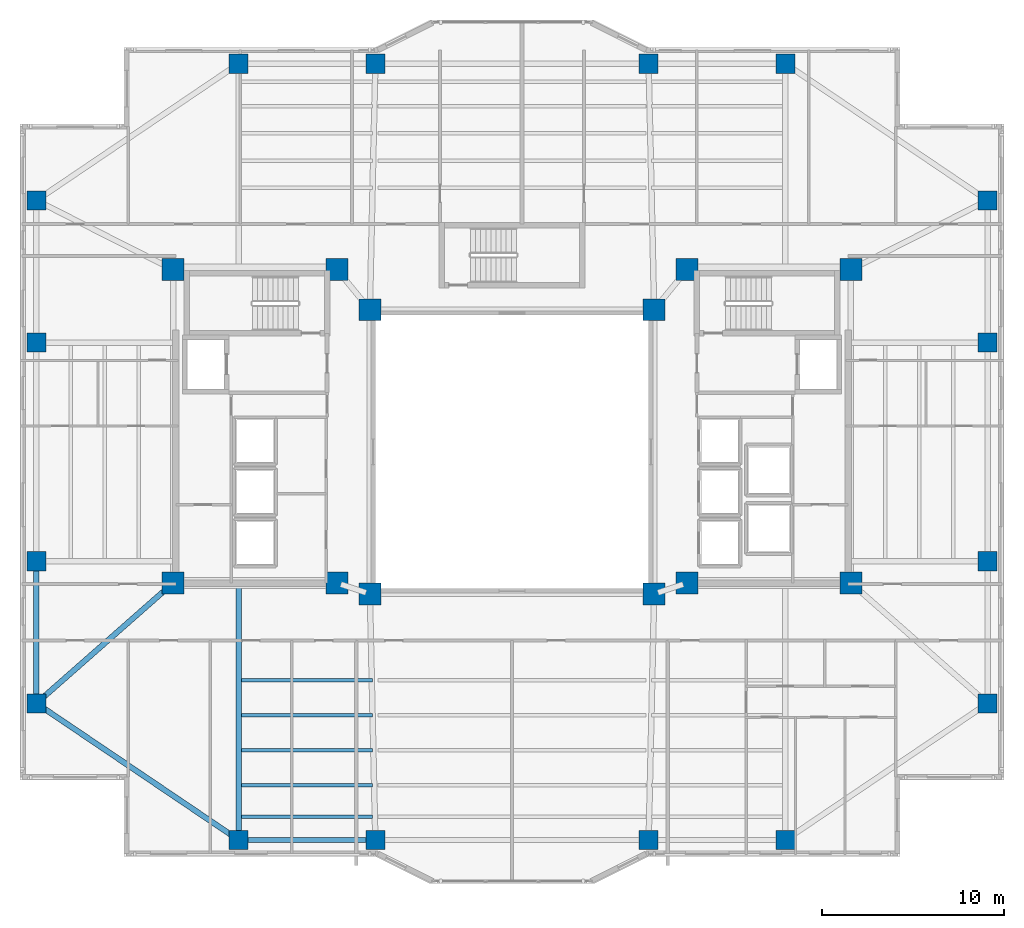
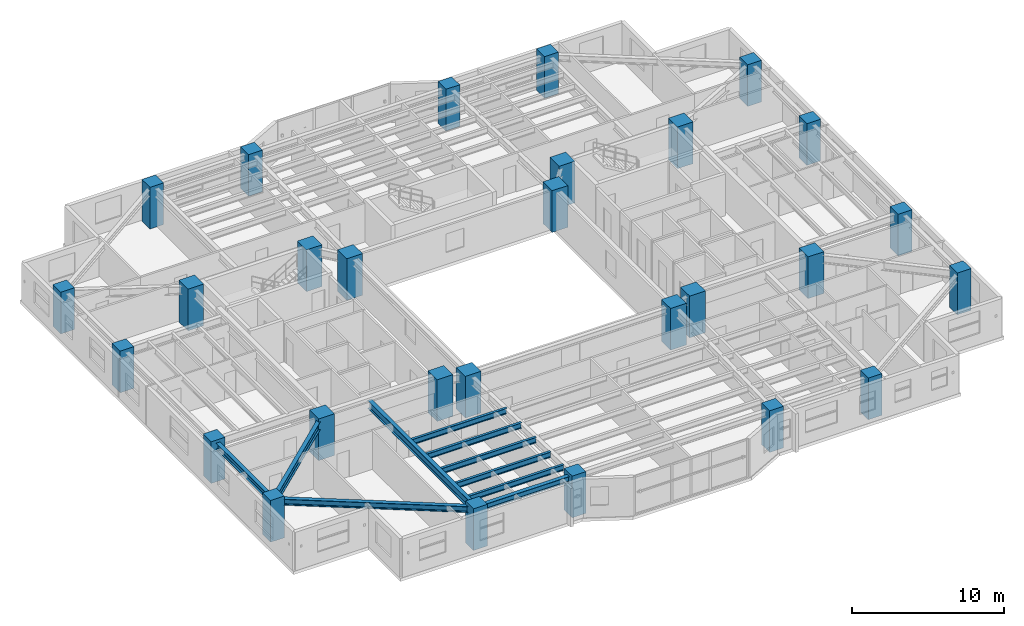
# One storey, part 1 of 18: 28 columns, 10 beams.
"""IFC4 building model written with IfcOpenShell, lengths in metres."""

from ifc_helpers import new_model, si_unit, direction, frame, origin, origin_2d, place, context, subcontext, project, spatial, rectangle, i_section, extrude, material, material_profile, profile_set, type_object, element, save


model = new_model("IFC4")

# Units and contexts
model_context = context("Model", 3, precision=1e-05, world=origin(), true_north=direction((0.0, 1.0)))
body_context = subcontext(model_context, "Body", "Model", "MODEL_VIEW")
ifc_project = project(units=[si_unit("LENGTHUNIT", "METRE"), si_unit("AREAUNIT", "SQUARE_METRE"), si_unit("VOLUMEUNIT", "CUBIC_METRE"), si_unit("PLANEANGLEUNIT", "RADIAN"), si_unit("MASSUNIT", "GRAM", prefix="KILO")], contexts=[model_context])

# Site, building, storey
site_placement = place(None, origin())
site = spatial("IfcSite", under=ifc_project, at=site_placement, CompositionType="ELEMENT")
building_placement = place(site_placement, origin())
building = spatial("IfcBuilding", under=site, at=building_placement, Name="Tarnavaz Court Tower", CompositionType="ELEMENT")
storey_placement = place(building_placement, frame((0.0, 0.0, 105.10009765625)))
storey = spatial("IfcBuildingStorey", under=building, at=storey_placement, Name="L28", CompositionType="ELEMENT", Elevation=105.10009765625)

# Columns
ifc_material_1 = material(Name="Concrete C60/75", Category="concrete")
ifc_material_profile_1 = material_profile(ifc_material_1, rectangle(XDim=1.050048828125, YDim=1.050048828125, at=origin_2d()), Name="RC 1050X1050")
ifc_profile_set_1 = profile_set([ifc_material_profile_1], Name="Concrete C60/75")
column_type_1 = type_object("IfcColumnType", Name="CL-RC1050", PredefinedType="COLUMN", material=ifc_profile_set_1)
for number, where, z_axis, x_axis, name in (
    (1, (-15.0, 21.300048828125, 0.0), (0.0, 0.0, 1.0), (1.0, 0.0, 0.0), "L28 Column PN-1"),
    (2, (-7.5, 21.300048828125, 0.0), (0.0, 0.0, 1.0), (1.0, 0.0, 0.0), "L28 Column PN-2"),
    (3, (7.5, 21.300048828125, 0.0), (0.0, 0.0, 1.0), (1.0, 0.0, 0.0), "L28 Column PN-3"),
    (4, (15.0, 21.300048828125, 0.0), (0.0, 0.0, 1.0), (1.0, 0.0, 0.0), "L28 Column PN-4"),
    (5, (-15.0, -21.300048828125, 0.0), (0.0, 0.0, 1.0), (1.0, 0.0, 0.0), "L28 Column PS-1"),
    (6, (-7.5, -21.300048828125, 0.0), (0.0, 0.0, 1.0), (1.0, 0.0, 0.0), "L28 Column PS-2"),
    (7, (7.5, -21.300048828125, 0.0), (0.0, 0.0, 1.0), (1.0, 0.0, 0.0), "L28 Column PS-3"),
    (8, (15.0, -21.300048828125, 0.0), (0.0, 0.0, 1.0), (1.0, 0.0, 0.0), "L28 Column PS-4"),
    (9, (26.10009765625, -13.800048828125, 0.0), (0.0, 0.0, 1.0), (1.0, 0.0, 0.0), "L28 Column PE-1"),
    (10, (26.10009765625, -6.0, 0.0), (0.0, 0.0, 1.0), (1.0, 0.0, 0.0), "L28 Column PE-2"),
    (11, (26.10009765625, 6.0, 0.0), (0.0, 0.0, 1.0), (1.0, 0.0, 0.0), "L28 Column PE-3"),
    (12, (26.10009765625, 13.800048828125, 0.0), (0.0, 0.0, 1.0), (1.0, 0.0, 0.0), "L28 Column PE-4"),
    (13, (-26.10009765625, -13.800048828125, 0.0), (0.0, 0.0, 1.0), (1.0, 0.0, 0.0), "L28 Column PW-1"),
    (14, (-26.10009765625, -6.0, 0.0), (0.0, 0.0, 1.0), (1.0, 0.0, 0.0), "L28 Column PW-2"),
    (15, (-26.10009765625, 6.0, 0.0), (0.0, 0.0, 1.0), (1.0, 0.0, 0.0), "L28 Column PW-3"),
    (16, (-26.10009765625, 13.800048828125, 0.0), (0.0, 0.0, 1.0), (1.0, 0.0, 0.0), "L28 Column PW-4"),
):
    element("IfcColumn", number, at=place(storey_placement, frame(where, z_axis=z_axis, x_axis=x_axis)), inside=storey, type_object=column_type_1, Name=name, PredefinedType="COLUMN", context=body_context, shape_type="SweptSolid", body=[
        extrude(rectangle(XDim=1.050048828125, YDim=1.050048828125, at=origin_2d()), origin(), (0.0, 0.0, 1.0), 3.349853515625),
    ])
ifc_material_profile_2 = material_profile(ifc_material_1, rectangle(XDim=1.199951171875, YDim=1.199951171875, at=origin_2d()), Name="RC 1200X1200")
ifc_profile_set_2 = profile_set([ifc_material_profile_2], Name="Concrete C60/75")
column_type_2 = type_object("IfcColumnType", Name="CL-RC1200", PredefinedType="COLUMN", material=ifc_profile_set_2)
for number, where, z_axis, x_axis, name in (
    (17, (-7.800048828125, -7.800048828125, 0.0), (0.0, 0.0, 1.0), (1.0, 0.0, 0.0), "L28 Column IW-SW"),
    (18, (7.800048828125, -7.800048828125, 0.0), (0.0, 0.0, 1.0), (1.0, 0.0, 0.0), "L28 Column IW-SE"),
    (19, (-7.800048828125, 7.800048828125, 0.0), (0.0, 0.0, 1.0), (1.0, 0.0, 0.0), "L28 Column IW-NW"),
    (20, (7.800048828125, 7.800048828125, 0.0), (0.0, 0.0, 1.0), (1.0, 0.0, 0.0), "L28 Column IW-NE"),
    (21, (-9.60009765625, -7.199951171875, 0.0), (0.0, 0.0, 1.0), (1.0, 0.0, 0.0), "L28 Column CW-SI"),
    (22, (-9.60009765625, 10.0, 0.0), (0.0, 0.0, 1.0), (1.0, 0.0, 0.0), "L28 Column CW-NI"),
    (23, (9.60009765625, -7.199951171875, 0.0), (0.0, 0.0, 1.0), (1.0, 0.0, 0.0), "L28 Column CE-SI"),
    (24, (9.60009765625, 10.0, 0.0), (0.0, 0.0, 1.0), (1.0, 0.0, 0.0), "L28 Column CE-NI"),
    (25, (-18.60009765625, -7.199951171875, 0.0), (0.0, 0.0, 1.0), (1.0, 0.0, 0.0), "L28 Column CW-SO"),
    (26, (-18.60009765625, 10.0, 0.0), (0.0, 0.0, 1.0), (1.0, 0.0, 0.0), "L28 Column CW-NO"),
    (27, (18.60009765625, -7.199951171875, 0.0), (0.0, 0.0, 1.0), (1.0, 0.0, 0.0), "L28 Column CE-SO"),
    (28, (18.60009765625, 10.0, 0.0), (0.0, 0.0, 1.0), (1.0, 0.0, 0.0), "L28 Column CE-NO"),
):
    element("IfcColumn", number, at=place(storey_placement, frame(where, z_axis=z_axis, x_axis=x_axis)), inside=storey, type_object=column_type_2, Name=name, PredefinedType="COLUMN", context=body_context, shape_type="SweptSolid", body=[
        extrude(rectangle(XDim=1.199951171875, YDim=1.199951171875, at=origin_2d()), origin(), (0.0, 0.0, 1.0), 3.349853515625),
    ])

# Beams
ifc_material_2 = material(Name="Steel S355", Category="steel")
ifc_material_profile_3 = material_profile(ifc_material_2, i_section(OverallWidth=0.300048828125, OverallDepth=0.64990234375, WebThickness=0.01611328125, FlangeThickness=0.031005859375, FilletRadius=0.027099609375, at=origin_2d()), Name="HEB 650")
ifc_profile_set_3 = profile_set([ifc_material_profile_3], Name="Steel S355")
beam_type_1 = type_object("IfcBeamType", Name="BM-G-HEB650", PredefinedType="USERDEFINED", material=ifc_profile_set_3)
beam_1_placement = place(storey_placement, frame((-15.0, -7.239990234375, 2.77490234375), z_axis=(0.0, -1.0, 0.0), x_axis=(1.0, 0.0, 0.0)))
element("IfcBeam", 29, at=beam_1_placement, inside=storey, type_object=beam_type_1, Name="L28 Beam RG-05", ObjectType="GIRDER", PredefinedType="USERDEFINED", context=body_context, shape_type="SweptSolid", body=[
    extrude(i_section(OverallWidth=0.300048828125, OverallDepth=0.64990234375, WebThickness=0.01611328125, FlangeThickness=0.031005859375, FilletRadius=0.027099609375, at=origin_2d()), origin(), (0.0, 0.0, 1.0), 13.840087890625),
])
beam_2_placement = place(storey_placement, frame((-18.76513671875, -7.34521484375, 2.77490234375), z_axis=(-0.750700332035, -0.660642877417, 0.0), x_axis=(0.660642877417, -0.750700332035, 0.0)))
element("IfcBeam", 30, at=beam_2_placement, inside=storey, type_object=beam_type_1, Name="L28 Beam RG-15", ObjectType="GIRDER", PredefinedType="USERDEFINED", context=body_context, shape_type="SweptSolid", body=[
    extrude(i_section(OverallWidth=0.300048828125, OverallDepth=0.64990234375, WebThickness=0.01611328125, FlangeThickness=0.031005859375, FilletRadius=0.027099609375, at=origin_2d()), origin(), (0.0, 0.0, 1.0), 9.550537109375),
])
ifc_material_profile_4 = material_profile(ifc_material_2, i_section(OverallWidth=0.18994140625, OverallDepth=0.449951171875, WebThickness=0.009521484375, FlangeThickness=0.0146484375, FilletRadius=0.02099609375, at=origin_2d()), Name="IPE 450")
ifc_profile_set_4 = profile_set([ifc_material_profile_4], Name="Steel S355")
beam_type_2 = type_object("IfcBeamType", Name="BM-J-IPE450", PredefinedType="JOIST", material=ifc_profile_set_4)
for number, where, z_axis, x_axis, name in (
    (31, (-14.85009765625, -12.52587890625, 2.875), (1.0, 0.0, 0.0), (0.0, 1.0, 0.0), "L28 Beam JS1-1"),
    (32, (-14.85009765625, -14.451904296875, 2.875), (1.0, 0.0, 0.0), (0.0, 1.0, 0.0), "L28 Beam JS2-1"),
    (33, (-14.85009765625, -16.3779296875, 2.875), (1.0, 0.0, 0.0), (0.0, 1.0, 0.0), "L28 Beam JS3-1"),
    (34, (-14.85009765625, -18.303955078125, 2.875), (1.0, 0.0, 0.0), (0.0, 1.0, 0.0), "L28 Beam JS4-1"),
    (35, (-14.85009765625, -20.01611328125, 2.875), (1.0, 0.0, 0.0), (0.0, 1.0, 0.0), "L28 Beam JS5-1"),
):
    element("IfcBeam", number, at=place(storey_placement, frame(where, z_axis=z_axis, x_axis=x_axis)), inside=storey, type_object=beam_type_2, Name=name, PredefinedType="JOIST", context=body_context, shape_type="SweptSolid", body=[
        extrude(i_section(OverallWidth=0.18994140625, OverallDepth=0.449951171875, WebThickness=0.009521484375, FlangeThickness=0.0146484375, FilletRadius=0.02099609375, at=origin_2d()), origin(), (0.0, 0.0, 1.0), 7.2001953125),
    ])
ifc_material_profile_5 = material_profile(ifc_material_2, i_section(OverallWidth=0.300048828125, OverallDepth=0.489990234375, WebThickness=0.011962890625, FlangeThickness=0.02294921875, FilletRadius=0.027099609375, at=origin_2d()), Name="HEA 500")
ifc_profile_set_5 = profile_set([ifc_material_profile_5], Name="Steel S355")
beam_type_3 = type_object("IfcBeamType", Name="BM-SP-HEA500", PredefinedType="SPANDREL", material=ifc_profile_set_5)
beam_3_placement = place(storey_placement, frame((-14.780029296875, -21.300048828125, 2.85498046875), z_axis=(1.0, 0.0, 0.0), x_axis=(0.0, 1.0, 0.0)))
element("IfcBeam", 36, at=beam_3_placement, inside=storey, type_object=beam_type_3, Name="L28 Beam PR-PS-1-PS-2", PredefinedType="SPANDREL", context=body_context, shape_type="SweptSolid", body=[
    extrude(i_section(OverallWidth=0.300048828125, OverallDepth=0.489990234375, WebThickness=0.011962890625, FlangeThickness=0.02294921875, FilletRadius=0.027099609375, at=origin_2d()), origin(), (0.0, 0.0, 1.0), 7.06005859375),
])
beam_4_placement = place(storey_placement, frame((-26.10009765625, -13.580078125, 2.85498046875), z_axis=(0.0, 1.0, 0.0), x_axis=(-1.0, 0.0, 0.0)))
element("IfcBeam", 37, at=beam_4_placement, inside=storey, type_object=beam_type_3, Name="L28 Beam PR-PW-1-PW-2", PredefinedType="SPANDREL", context=body_context, shape_type="SweptSolid", body=[
    extrude(i_section(OverallWidth=0.300048828125, OverallDepth=0.489990234375, WebThickness=0.011962890625, FlangeThickness=0.02294921875, FilletRadius=0.027099609375, at=origin_2d()), origin(), (0.0, 0.0, 1.0), 7.360107421875),
])
beam_5_placement = place(storey_placement, frame((-15.182373046875, -21.1767578125, 2.85498046875), z_axis=(-0.828587314918, 0.559859858854, 0.0), x_axis=(-0.559859858854, -0.828587314918, 0.0)))
element("IfcBeam", 38, at=beam_5_placement, inside=storey, type_object=beam_type_3, Name="L28 Beam PR-PS-1-PW-1", PredefinedType="SPANDREL", context=body_context, shape_type="SweptSolid", body=[
    extrude(i_section(OverallWidth=0.300048828125, OverallDepth=0.489990234375, WebThickness=0.011962890625, FlangeThickness=0.02294921875, FilletRadius=0.027099609375, at=origin_2d()), origin(), (0.0, 0.0, 1.0), 12.956298828125),
])

save(model, "model.ifc")
